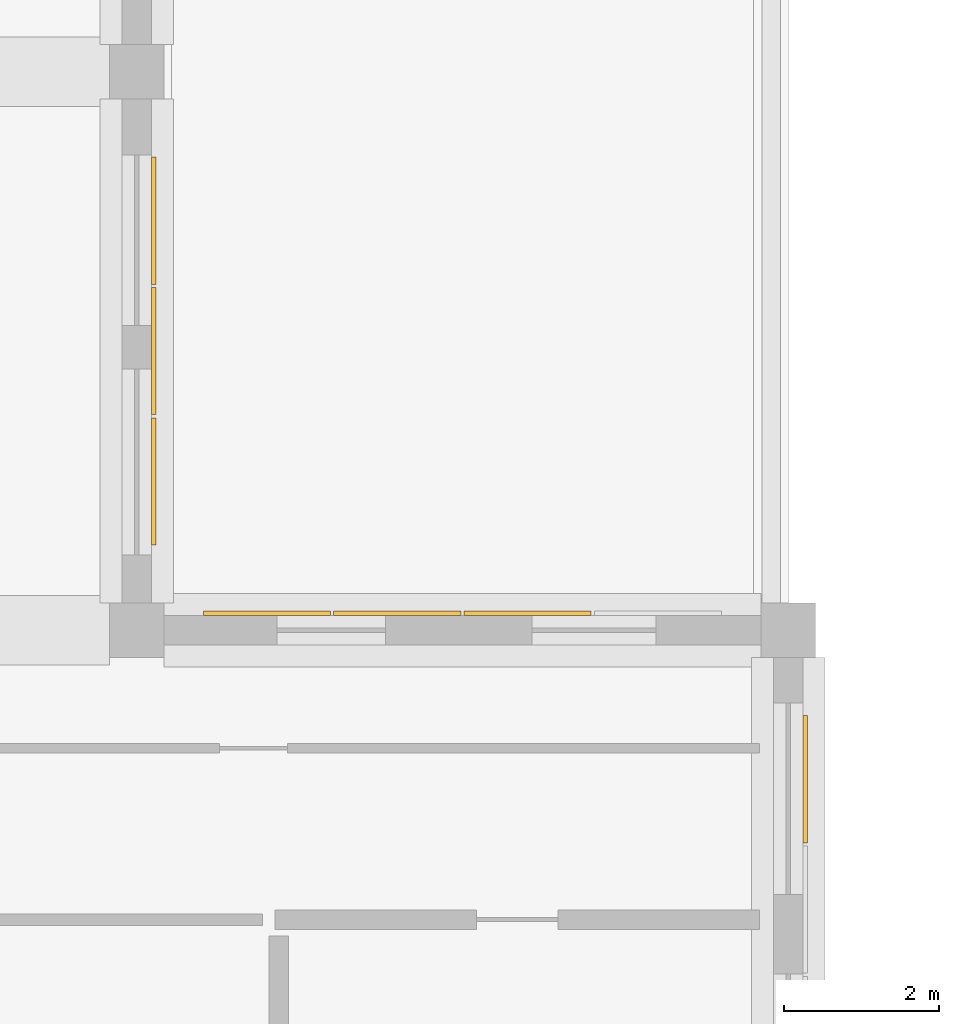
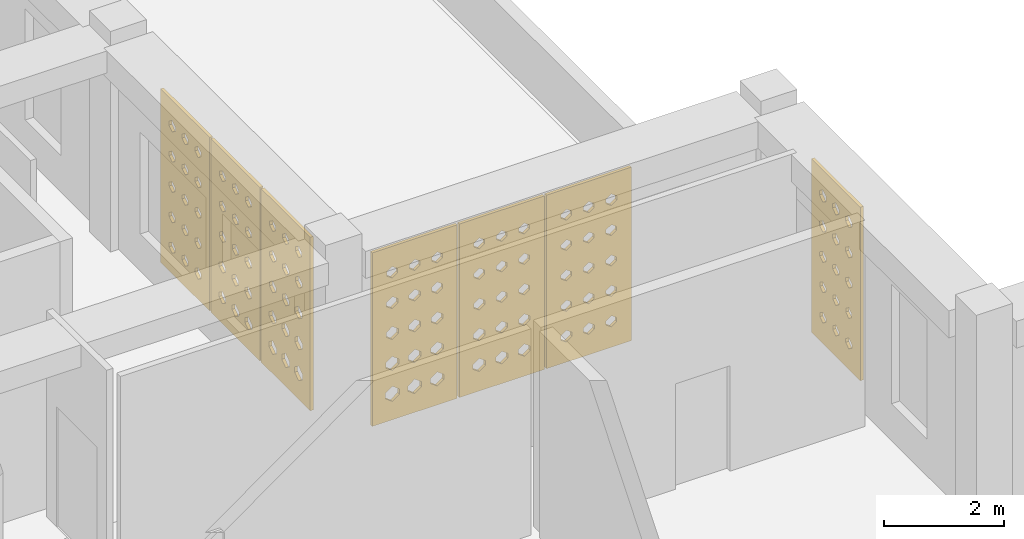
# One storey, part 44 of 47: 7 coverings.
"""IFC4 building model written with IfcOpenShell, lengths in metres."""

from ifc_helpers import new_model, si_unit, derived_unit, direction, frame, origin, place, context, subcontext, project, spatial, polyline, outline, extrude, material, layer, layer_set, type_object, element, save


model = new_model("IFC4")

# Units and contexts
model_context = context("Model", 3, precision=1e-05, world=origin(), true_north=direction((0.0, 1.0)))
body_context = subcontext(model_context, "Body", "Model", "MODEL_VIEW")
ifc_project = project(units=[si_unit("LENGTHUNIT", "METRE"), si_unit("AREAUNIT", "SQUARE_METRE"), si_unit("VOLUMEUNIT", "CUBIC_METRE"), si_unit("PLANEANGLEUNIT", "RADIAN"), si_unit("MASSUNIT", "GRAM", prefix="KILO"), derived_unit("THERMALTRANSMITTANCEUNIT", [(si_unit("POWERUNIT", "WATT"), 1), (si_unit("LENGTHUNIT", "METRE"), -2), (si_unit("THERMODYNAMICTEMPERATUREUNIT", "KELVIN"), -1)])], contexts=[model_context])

# Site, building, storey
site_placement = place(None, origin())
site = spatial("IfcSite", under=ifc_project, at=site_placement, CompositionType="ELEMENT")
building_placement = place(site_placement, origin())
building = spatial("IfcBuilding", under=site, at=building_placement, Name="Veybourne Emporium", CompositionType="ELEMENT")
storey_placement = place(building_placement, frame((0.0, 0.0, 23.39990234375)))
storey = spatial("IfcBuildingStorey", under=building, at=storey_placement, Name="L05", CompositionType="ELEMENT", Elevation=23.39990234375)

# Coverings
ifc_material = material(Name="Warm-White Perforated Aluminium Screen Alloy", Category="aluminium")
ifc_layer_1 = layer(ifc_material, 0.06005859375)
ifc_layer_set_1 = layer_set([ifc_layer_1], Name="Warm-White Perforated Aluminium Screen Alloy")
covering_type_1 = type_object("IfcCoveringType", Name="WaveScreen_SCR-01", PredefinedType="CLADDING", material=ifc_layer_set_1)
covering_1_placement = place(storey_placement, frame((84.248046875, 73.919921875, 1.830078125), z_axis=(-1.0, 0.0, 0.0), x_axis=(0.0, -1.0, 0.0)))
element("IfcCovering", 1, at=covering_1_placement, inside=storey, type_object=covering_type_1, Name="L05 wave-perforated aluminium screen SCR-01 (44.3)", PredefinedType="CLADDING", context=body_context, shape_type="SweptSolid", body=[
    extrude(outline(polyline([(-0.81982421875, -1.77001953125), (0.81982421875, -1.77001953125), (0.81982421875, 1.77001953125), (-0.81982421875, 1.77001953125), (-0.81982421875, -1.77001953125)]), holes=[polyline([(-0.433349609375, -1.100830078125), (-0.309326171875, -1.18994140625), (-0.309326171875, -1.2900390625), (-0.433349609375, -1.379150390625), (-0.55712890625, -1.2900390625), (-0.55712890625, -1.18994140625), (-0.433349609375, -1.100830078125)]), polyline([(-0.433349609375, -0.490966796875), (-0.317626953125, -0.573486328125), (-0.317626953125, -0.66650390625), (-0.433349609375, -0.7490234375), (-0.549072265625, -0.66650390625), (-0.549072265625, -0.573486328125), (-0.433349609375, -0.490966796875)]), polyline([(-0.433349609375, 0.120849609375), (-0.324462890625, 0.04345703125), (-0.324462890625, -0.04345703125), (-0.433349609375, -0.120849609375), (-0.542236328125, -0.04345703125), (-0.542236328125, 0.04345703125), (-0.433349609375, 0.120849609375)]), polyline([(-0.433349609375, 0.73486328125), (-0.329345703125, 0.661376953125), (-0.329345703125, 0.57861328125), (-0.433349609375, 0.505126953125), (-0.537353515625, 0.57861328125), (-0.537353515625, 0.661376953125), (-0.433349609375, 0.73486328125)]), polyline([(-0.433349609375, 1.351318359375), (-0.332275390625, 1.280029296875), (-0.332275390625, 1.199951171875), (-0.433349609375, 1.12890625), (-0.534423828125, 1.199951171875), (-0.534423828125, 1.280029296875), (-0.433349609375, 1.351318359375)]), polyline([(0.0, -1.095703125), (0.1279296875, -1.18798828125), (0.1279296875, -1.2919921875), (0.0, -1.38427734375), (-0.1279296875, -1.2919921875), (-0.1279296875, -1.18798828125), (0.0, -1.095703125)]), polyline([(0.0, -0.486572265625), (0.119140625, -0.572021484375), (0.119140625, -0.66796875), (0.0, -0.75341796875), (-0.119140625, -0.66796875), (-0.119140625, -0.572021484375), (0.0, -0.486572265625)]), polyline([(0.0, 0.12451171875), (0.11181640625, 0.044921875), (0.11181640625, -0.044921875), (0.0, -0.12451171875), (-0.11181640625, -0.044921875), (-0.11181640625, 0.044921875), (0.0, 0.12451171875)]), polyline([(0.0, 0.7373046875), (0.10595703125, 0.662109375), (0.10595703125, 0.577880859375), (0.0, 0.502685546875), (-0.10595703125, 0.577880859375), (-0.10595703125, 0.662109375), (0.0, 0.7373046875)]), polyline([(0.0, 1.3525390625), (0.10205078125, 1.280517578125), (0.10205078125, 1.199462890625), (0.0, 1.12744140625), (-0.10205078125, 1.199462890625), (-0.10205078125, 1.280517578125), (0.0, 1.3525390625)]), polyline([(0.433349609375, -1.09033203125), (0.56591796875, -1.18603515625), (0.56591796875, -1.2939453125), (0.433349609375, -1.3896484375), (0.30078125, -1.2939453125), (0.30078125, -1.18603515625), (0.433349609375, -1.09033203125)]), polyline([(0.433349609375, -0.48193359375), (0.556396484375, -0.5703125), (0.556396484375, -0.669677734375), (0.433349609375, -0.758056640625), (0.310302734375, -0.669677734375), (0.310302734375, -0.5703125), (0.433349609375, -0.48193359375)]), polyline([(0.433349609375, 0.128173828125), (0.548095703125, 0.046142578125), (0.548095703125, -0.046142578125), (0.433349609375, -0.128173828125), (0.318359375, -0.046142578125), (0.318359375, 0.046142578125), (0.433349609375, 0.128173828125)]), polyline([(0.433349609375, 0.740234375), (0.541748046875, 0.663330078125), (0.541748046875, 0.57666015625), (0.433349609375, 0.499755859375), (0.324951171875, 0.57666015625), (0.324951171875, 0.663330078125), (0.433349609375, 0.740234375)]), polyline([(0.433349609375, 1.3544921875), (0.537109375, 1.28125), (0.537109375, 1.19873046875), (0.433349609375, 1.12548828125), (0.32958984375, 1.19873046875), (0.32958984375, 1.28125), (0.433349609375, 1.3544921875)])]), origin(), (0.0, 0.0, 1.0), 0.06005859375),
])
covering_2_placement = place(storey_placement, frame((85.679931640625, 72.248046875, 1.830078125), z_axis=(0.0, -1.0, 0.0), x_axis=(1.0, 0.0, 0.0)))
element("IfcCovering", 2, at=covering_2_placement, inside=storey, type_object=covering_type_1, Name="L05 wave-perforated aluminium screen SCR-01 (50.1)", PredefinedType="CLADDING", context=body_context, shape_type="SweptSolid", body=[
    extrude(outline(polyline([(-0.81982421875, -1.77001953125), (0.81982421875, -1.77001953125), (0.81982421875, 1.77001953125), (-0.81982421875, 1.77001953125), (-0.81982421875, -1.77001953125)]), holes=[polyline([(-0.433349609375, -1.08740234375), (-0.29833984375, -1.18505859375), (-0.29833984375, -1.294921875), (-0.433349609375, -1.392578125), (-0.568359375, -1.294921875), (-0.568359375, -1.18505859375), (-0.433349609375, -1.08740234375)]), polyline([(-0.433349609375, -0.479248046875), (-0.30810546875, -0.5693359375), (-0.30810546875, -0.670654296875), (-0.433349609375, -0.7607421875), (-0.55859375, -0.670654296875), (-0.55859375, -0.5693359375), (-0.433349609375, -0.479248046875)]), polyline([(-0.433349609375, 0.130615234375), (-0.316650390625, 0.047119140625), (-0.316650390625, -0.047119140625), (-0.433349609375, -0.130615234375), (-0.550048828125, -0.047119140625), (-0.550048828125, 0.047119140625), (-0.433349609375, 0.130615234375)]), polyline([(-0.433349609375, 0.741943359375), (-0.323486328125, 0.663818359375), (-0.323486328125, 0.576171875), (-0.433349609375, 0.498046875), (-0.543212890625, 0.576171875), (-0.543212890625, 0.663818359375), (-0.433349609375, 0.741943359375)]), polyline([(-0.433349609375, 1.355712890625), (-0.32861328125, 1.281494140625), (-0.32861328125, 1.198486328125), (-0.433349609375, 1.124267578125), (-0.5380859375, 1.198486328125), (-0.5380859375, 1.281494140625), (-0.433349609375, 1.355712890625)]), polyline([(0.0, -1.0927734375), (0.13037109375, -1.18701171875), (0.13037109375, -1.29296875), (0.0, -1.38720703125), (-0.13037109375, -1.29296875), (-0.13037109375, -1.18701171875), (0.0, -1.0927734375)]), polyline([(0.0, -0.48388671875), (0.12109375, -0.571044921875), (0.12109375, -0.6689453125), (0.0, -0.756103515625), (-0.12109375, -0.6689453125), (-0.12109375, -0.571044921875), (0.0, -0.48388671875)]), polyline([(0.0, 0.12646484375), (0.113525390625, 0.04541015625), (0.113525390625, -0.04541015625), (0.0, -0.12646484375), (-0.113525390625, -0.04541015625), (-0.113525390625, 0.04541015625), (0.0, 0.12646484375)]), polyline([(0.0, 0.739013671875), (0.107421875, 0.662841796875), (0.107421875, 0.5771484375), (0.0, 0.501220703125), (-0.107421875, 0.5771484375), (-0.107421875, 0.662841796875), (0.0, 0.739013671875)]), polyline([(0.0, 1.353515625), (0.102783203125, 1.281005859375), (0.102783203125, 1.19921875), (0.0, 1.12646484375), (-0.102783203125, 1.19921875), (-0.102783203125, 1.281005859375), (0.0, 1.353515625)]), polyline([(0.433349609375, -1.097900390625), (0.5595703125, -1.18896484375), (0.5595703125, -1.291015625), (0.433349609375, -1.382080078125), (0.30712890625, -1.291015625), (0.30712890625, -1.18896484375), (0.433349609375, -1.097900390625)]), polyline([(0.433349609375, -0.488525390625), (0.55078125, -0.57275390625), (0.55078125, -0.667236328125), (0.433349609375, -0.75146484375), (0.31591796875, -0.667236328125), (0.31591796875, -0.57275390625), (0.433349609375, -0.488525390625)]), polyline([(0.433349609375, 0.122802734375), (0.543701171875, 0.044189453125), (0.543701171875, -0.044189453125), (0.433349609375, -0.122802734375), (0.322998046875, -0.044189453125), (0.322998046875, 0.044189453125), (0.433349609375, 0.122802734375)]), polyline([(0.433349609375, 0.736083984375), (0.538330078125, 0.661865234375), (0.538330078125, 0.578125), (0.433349609375, 0.50390625), (0.328125, 0.578125), (0.328125, 0.661865234375), (0.433349609375, 0.736083984375)]), polyline([(0.433349609375, 1.351806640625), (0.534912109375, 1.2802734375), (0.534912109375, 1.19970703125), (0.433349609375, 1.128173828125), (0.331787109375, 1.19970703125), (0.331787109375, 1.2802734375), (0.433349609375, 1.351806640625)])]), origin(), (0.0, 0.0, 1.0), 0.06005859375),
])
ifc_layer_2 = layer(ifc_material, 0.06005859375)
ifc_layer_set_2 = layer_set([ifc_layer_2], Name="Warm-White Perforated Aluminium Screen Alloy")
covering_type_2 = type_object("IfcCoveringType", Name="WaveScreen_SCR-02", PredefinedType="CLADDING", material=ifc_layer_set_2)
covering_3_placement = place(storey_placement, frame((87.360107421875, 72.248046875, 1.830078125), z_axis=(0.0, -1.0, 0.0), x_axis=(1.0, 0.0, 0.0)))
element("IfcCovering", 3, at=covering_3_placement, inside=storey, type_object=covering_type_2, Name="L05 wave-perforated aluminium screen SCR-02 (50.2)", PredefinedType="CLADDING", context=body_context, shape_type="SweptSolid", body=[
    extrude(outline(polyline([(-0.81982421875, -1.77001953125), (0.81982421875, -1.77001953125), (0.81982421875, 1.77001953125), (-0.81982421875, 1.77001953125), (-0.81982421875, -1.77001953125)]), holes=[polyline([(-0.433349609375, -1.10693359375), (-0.314453125, -1.192138671875), (-0.314453125, -1.287841796875), (-0.433349609375, -1.373046875), (-0.552001953125, -1.287841796875), (-0.552001953125, -1.192138671875), (-0.433349609375, -1.10693359375)]), polyline([(-0.433349609375, -0.49609375), (-0.322021484375, -0.575439453125), (-0.322021484375, -0.66455078125), (-0.433349609375, -0.743896484375), (-0.544921875, -0.66455078125), (-0.544921875, -0.575439453125), (-0.433349609375, -0.49609375)]), polyline([(-0.433349609375, 0.1171875), (-0.327392578125, 0.042236328125), (-0.327392578125, -0.042236328125), (-0.433349609375, -0.1171875), (-0.5390625, -0.042236328125), (-0.5390625, 0.042236328125), (-0.433349609375, 0.1171875)]), polyline([(-0.433349609375, 0.732421875), (-0.331298828125, 0.660400390625), (-0.331298828125, 0.57958984375), (-0.433349609375, 0.507568359375), (-0.535400390625, 0.57958984375), (-0.535400390625, 0.660400390625), (-0.433349609375, 0.732421875)]), polyline([(-0.433349609375, 1.35009765625), (-0.333251953125, 1.27978515625), (-0.333251953125, 1.2001953125), (-0.433349609375, 1.1298828125), (-0.533447265625, 1.2001953125), (-0.533447265625, 1.27978515625), (-0.433349609375, 1.35009765625)]), polyline([(0.0, -1.111328125), (0.115234375, -1.193603515625), (0.115234375, -1.286376953125), (0.0, -1.36865234375), (-0.115234375, -1.286376953125), (-0.115234375, -1.193603515625), (0.0, -1.111328125)]), polyline([(0.0, -0.49951171875), (0.108642578125, -0.57666015625), (0.108642578125, -0.663330078125), (0.0, -0.740478515625), (-0.108642578125, -0.663330078125), (-0.108642578125, -0.57666015625), (0.0, -0.49951171875)]), polyline([(0.0, 0.11474609375), (0.10400390625, 0.041259765625), (0.10400390625, -0.041259765625), (0.0, -0.11474609375), (-0.10400390625, -0.041259765625), (-0.10400390625, 0.041259765625), (0.0, 0.11474609375)]), polyline([(0.0, 0.731201171875), (0.100830078125, 0.659912109375), (0.100830078125, 0.580078125), (0.0, 0.5087890625), (-0.100830078125, 0.580078125), (-0.100830078125, 0.659912109375), (0.0, 0.731201171875)]), polyline([(0.0, 1.35009765625), (0.10009765625, 1.279541015625), (0.10009765625, 1.200439453125), (0.0, 1.1298828125), (-0.10009765625, 1.200439453125), (-0.10009765625, 1.279541015625), (0.0, 1.35009765625)]), polyline([(0.433349609375, -1.115234375), (0.54541015625, -1.195068359375), (0.54541015625, -1.284912109375), (0.433349609375, -1.36474609375), (0.3212890625, -1.284912109375), (0.3212890625, -1.195068359375), (0.433349609375, -1.115234375)]), polyline([(0.433349609375, -0.502197265625), (0.53955078125, -0.57763671875), (0.53955078125, -0.662353515625), (0.433349609375, -0.73779296875), (0.326904296875, -0.662353515625), (0.326904296875, -0.57763671875), (0.433349609375, -0.502197265625)]), polyline([(0.433349609375, 0.11279296875), (0.53564453125, 0.04052734375), (0.53564453125, -0.04052734375), (0.433349609375, -0.11279296875), (0.3310546875, -0.04052734375), (0.3310546875, 0.04052734375), (0.433349609375, 0.11279296875)]), polyline([(0.433349609375, 0.730224609375), (0.53369140625, 0.65966796875), (0.53369140625, 0.580322265625), (0.433349609375, 0.509765625), (0.3330078125, 0.580322265625), (0.3330078125, 0.65966796875), (0.433349609375, 0.730224609375)]), polyline([(0.433349609375, 1.350341796875), (0.53369140625, 1.27978515625), (0.53369140625, 1.2001953125), (0.433349609375, 1.129638671875), (0.3330078125, 1.2001953125), (0.3330078125, 1.27978515625), (0.433349609375, 1.350341796875)])]), origin(), (0.0, 0.0, 1.0), 0.06005859375),
])
ifc_layer_3 = layer(ifc_material, 0.06005859375)
ifc_layer_set_3 = layer_set([ifc_layer_3], Name="Warm-White Perforated Aluminium Screen Alloy")
covering_type_3 = type_object("IfcCoveringType", Name="WaveScreen_SCR-03", PredefinedType="CLADDING", material=ifc_layer_set_3)
covering_4_placement = place(storey_placement, frame((84.248046875, 77.280029296875, 1.830078125), z_axis=(-1.0, 0.0, 0.0), x_axis=(0.0, -1.0, 0.0)))
element("IfcCovering", 4, at=covering_4_placement, inside=storey, type_object=covering_type_3, Name="L05 wave-perforated aluminium screen SCR-03 (44.1)", PredefinedType="CLADDING", context=body_context, shape_type="SweptSolid", body=[
    extrude(outline(polyline([(-0.81982421875, -1.77001953125), (0.81982421875, -1.77001953125), (0.81982421875, 1.77001953125), (-0.81982421875, 1.77001953125), (-0.81982421875, -1.77001953125)]), holes=[polyline([(-0.433349609375, -1.127197265625), (-0.3310546875, -1.199462890625), (-0.3310546875, -1.280517578125), (-0.433349609375, -1.352783203125), (-0.53564453125, -1.280517578125), (-0.53564453125, -1.199462890625), (-0.433349609375, -1.127197265625)]), polyline([(-0.433349609375, -0.509765625), (-0.3330078125, -0.580322265625), (-0.3330078125, -0.65966796875), (-0.433349609375, -0.730224609375), (-0.53369140625, -0.65966796875), (-0.53369140625, -0.580322265625), (-0.433349609375, -0.509765625)]), polyline([(-0.433349609375, 0.1103515625), (-0.3330078125, 0.039794921875), (-0.3330078125, -0.039794921875), (-0.433349609375, -0.1103515625), (-0.53369140625, -0.039794921875), (-0.53369140625, 0.039794921875), (-0.433349609375, 0.1103515625)]), polyline([(-0.433349609375, 0.732666015625), (-0.3310546875, 0.66064453125), (-0.3310546875, 0.579345703125), (-0.433349609375, 0.50732421875), (-0.53564453125, 0.579345703125), (-0.53564453125, 0.66064453125), (-0.433349609375, 0.732666015625)]), polyline([(-0.433349609375, 1.357421875), (-0.3271484375, 1.2822265625), (-0.3271484375, 1.19775390625), (-0.433349609375, 1.12255859375), (-0.53955078125, 1.19775390625), (-0.53955078125, 1.2822265625), (-0.433349609375, 1.357421875)]), polyline([(0.0, -1.125244140625), (0.10400390625, -1.19873046875), (0.10400390625, -1.28125), (0.0, -1.354736328125), (-0.10400390625, -1.28125), (-0.10400390625, -1.19873046875), (0.0, -1.125244140625)]), polyline([(0.0, -0.5087890625), (0.100830078125, -0.580078125), (0.100830078125, -0.659912109375), (0.0, -0.731201171875), (-0.100830078125, -0.659912109375), (-0.100830078125, -0.580078125), (0.0, -0.5087890625)]), polyline([(0.0, 0.110107421875), (0.10009765625, 0.03955078125), (0.10009765625, -0.03955078125), (0.0, -0.110107421875), (-0.10009765625, -0.03955078125), (-0.10009765625, 0.03955078125), (0.0, 0.110107421875)]), polyline([(0.0, 0.731201171875), (0.10107421875, 0.66015625), (0.10107421875, 0.579833984375), (0.0, 0.5087890625), (-0.10107421875, 0.579833984375), (-0.10107421875, 0.66015625), (0.0, 0.731201171875)]), polyline([(0.0, 1.35498046875), (0.104248046875, 1.281494140625), (0.104248046875, 1.198486328125), (0.0, 1.125), (-0.104248046875, 1.198486328125), (-0.104248046875, 1.281494140625), (0.0, 1.35498046875)]), polyline([(0.433349609375, -1.122802734375), (0.539306640625, -1.19775390625), (0.539306640625, -1.2822265625), (0.433349609375, -1.357177734375), (0.327392578125, -1.2822265625), (0.327392578125, -1.19775390625), (0.433349609375, -1.122802734375)]), polyline([(0.433349609375, -0.507568359375), (0.535400390625, -0.57958984375), (0.535400390625, -0.660400390625), (0.433349609375, -0.732421875), (0.331298828125, -0.660400390625), (0.331298828125, -0.57958984375), (0.433349609375, -0.507568359375)]), polyline([(0.433349609375, 0.110107421875), (0.533447265625, 0.039794921875), (0.533447265625, -0.039794921875), (0.433349609375, -0.110107421875), (0.333251953125, -0.039794921875), (0.333251953125, 0.039794921875), (0.433349609375, 0.110107421875)]), polyline([(0.433349609375, 0.73046875), (0.53369140625, 0.659912109375), (0.53369140625, 0.580078125), (0.433349609375, 0.509521484375), (0.3330078125, 0.580078125), (0.3330078125, 0.659912109375), (0.433349609375, 0.73046875)]), polyline([(0.433349609375, 1.35302734375), (0.535888671875, 1.28076171875), (0.535888671875, 1.19921875), (0.433349609375, 1.126953125), (0.330810546875, 1.19921875), (0.330810546875, 1.28076171875), (0.433349609375, 1.35302734375)])]), origin(), (0.0, 0.0, 1.0), 0.06005859375),
])
covering_5_placement = place(storey_placement, frame((89.0400390625, 72.248046875, 1.830078125), z_axis=(0.0, -1.0, 0.0), x_axis=(1.0, 0.0, 0.0)))
element("IfcCovering", 5, at=covering_5_placement, inside=storey, type_object=covering_type_3, Name="L05 wave-perforated aluminium screen SCR-03 (50.3)", PredefinedType="CLADDING", context=body_context, shape_type="SweptSolid", body=[
    extrude(outline(polyline([(-0.81982421875, -1.77001953125), (0.81982421875, -1.77001953125), (0.81982421875, 1.77001953125), (-0.81982421875, 1.77001953125), (-0.81982421875, -1.77001953125)]), holes=[polyline([(-0.433349609375, -1.121337890625), (-0.326171875, -1.197265625), (-0.326171875, -1.28271484375), (-0.433349609375, -1.358642578125), (-0.540283203125, -1.28271484375), (-0.540283203125, -1.197265625), (-0.433349609375, -1.121337890625)]), polyline([(-0.433349609375, -0.506591796875), (-0.33056640625, -0.5791015625), (-0.33056640625, -0.660888671875), (-0.433349609375, -0.7333984375), (-0.5361328125, -0.660888671875), (-0.5361328125, -0.5791015625), (-0.433349609375, -0.506591796875)]), polyline([(-0.433349609375, 0.110595703125), (-0.3330078125, 0.039794921875), (-0.3330078125, -0.039794921875), (-0.433349609375, -0.110595703125), (-0.53369140625, -0.039794921875), (-0.53369140625, 0.039794921875), (-0.433349609375, 0.110595703125)]), polyline([(-0.433349609375, 0.72998046875), (-0.333251953125, 0.65966796875), (-0.333251953125, 0.580322265625), (-0.433349609375, 0.510009765625), (-0.533447265625, 0.580322265625), (-0.533447265625, 0.65966796875), (-0.433349609375, 0.72998046875)]), polyline([(-0.433349609375, 1.352294921875), (-0.33154296875, 1.280517578125), (-0.33154296875, 1.19970703125), (-0.433349609375, 1.127685546875), (-0.53515625, 1.19970703125), (-0.53515625, 1.280517578125), (-0.433349609375, 1.352294921875)]), polyline([(0.0, -1.1240234375), (0.10498046875, -1.1982421875), (0.10498046875, -1.28173828125), (0.0, -1.35595703125), (-0.10498046875, -1.28173828125), (-0.10498046875, -1.1982421875), (0.0, -1.1240234375)]), polyline([(0.0, -0.50830078125), (0.1015625, -0.57958984375), (0.1015625, -0.660400390625), (0.0, -0.731689453125), (-0.1015625, -0.660400390625), (-0.1015625, -0.57958984375), (0.0, -0.50830078125)]), polyline([(0.0, 0.110107421875), (0.10009765625, 0.03955078125), (0.10009765625, -0.03955078125), (0.0, -0.110107421875), (-0.10009765625, -0.03955078125), (-0.10009765625, 0.03955078125), (0.0, 0.110107421875)]), polyline([(0.0, 0.730712890625), (0.1005859375, 0.659912109375), (0.1005859375, 0.580078125), (0.0, 0.50927734375), (-0.1005859375, 0.580078125), (-0.1005859375, 0.659912109375), (0.0, 0.730712890625)]), polyline([(0.0, 1.35400390625), (0.103271484375, 1.281005859375), (0.103271484375, 1.198974609375), (0.0, 1.126220703125), (-0.103271484375, 1.198974609375), (-0.103271484375, 1.281005859375), (0.0, 1.35400390625)]), polyline([(0.433349609375, -1.126220703125), (0.53662109375, -1.198974609375), (0.53662109375, -1.281005859375), (0.433349609375, -1.353759765625), (0.330078125, -1.281005859375), (0.330078125, -1.198974609375), (0.433349609375, -1.126220703125)]), polyline([(0.433349609375, -0.50927734375), (0.533935546875, -0.580078125), (0.533935546875, -0.659912109375), (0.433349609375, -0.730712890625), (0.332763671875, -0.659912109375), (0.332763671875, -0.580078125), (0.433349609375, -0.50927734375)]), polyline([(0.433349609375, 0.110107421875), (0.533447265625, 0.03955078125), (0.533447265625, -0.03955078125), (0.433349609375, -0.110107421875), (0.333251953125, -0.03955078125), (0.333251953125, 0.03955078125), (0.433349609375, 0.110107421875)]), polyline([(0.433349609375, 0.73193359375), (0.534912109375, 0.660400390625), (0.534912109375, 0.57958984375), (0.433349609375, 0.508056640625), (0.331787109375, 0.57958984375), (0.331787109375, 0.660400390625), (0.433349609375, 0.73193359375)]), polyline([(0.433349609375, 1.356201171875), (0.538330078125, 1.28173828125), (0.538330078125, 1.1982421875), (0.433349609375, 1.123779296875), (0.328369140625, 1.1982421875), (0.328369140625, 1.28173828125), (0.433349609375, 1.356201171875)])]), origin(), (0.0, 0.0, 1.0), 0.06005859375),
])
ifc_layer_4 = layer(ifc_material, 0.06005859375)
ifc_layer_set_4 = layer_set([ifc_layer_4], Name="Warm-White Perforated Aluminium Screen Alloy")
covering_type_4 = type_object("IfcCoveringType", Name="WaveScreen_SCR-04", PredefinedType="CLADDING", material=ifc_layer_set_4)
covering_6_placement = place(storey_placement, frame((84.248046875, 75.60009765625, 1.830078125), z_axis=(-1.0, 0.0, 0.0), x_axis=(0.0, -1.0, 0.0)))
element("IfcCovering", 6, at=covering_6_placement, inside=storey, type_object=covering_type_4, Name="L05 wave-perforated aluminium screen SCR-04 (44.2)", PredefinedType="CLADDING", context=body_context, shape_type="SweptSolid", body=[
    extrude(outline(polyline([(-0.81982421875, -1.77001953125), (0.81982421875, -1.77001953125), (0.81982421875, 1.77001953125), (-0.81982421875, 1.77001953125), (-0.81982421875, -1.77001953125)]), holes=[polyline([(-0.433349609375, -1.1171875), (-0.32275390625, -1.19580078125), (-0.32275390625, -1.2841796875), (-0.433349609375, -1.36279296875), (-0.5439453125, -1.2841796875), (-0.5439453125, -1.19580078125), (-0.433349609375, -1.1171875)]), polyline([(-0.433349609375, -0.503662109375), (-0.328125, -0.578125), (-0.328125, -0.661865234375), (-0.433349609375, -0.736328125), (-0.53857421875, -0.661865234375), (-0.53857421875, -0.578125), (-0.433349609375, -0.503662109375)]), polyline([(-0.433349609375, 0.112060546875), (-0.331787109375, 0.040283203125), (-0.331787109375, -0.040283203125), (-0.433349609375, -0.112060546875), (-0.534912109375, -0.040283203125), (-0.534912109375, 0.040283203125), (-0.433349609375, 0.112060546875)]), polyline([(-0.433349609375, 0.72998046875), (-0.333251953125, 0.65966796875), (-0.333251953125, 0.580322265625), (-0.433349609375, 0.510009765625), (-0.533447265625, 0.580322265625), (-0.533447265625, 0.65966796875), (-0.433349609375, 0.72998046875)]), polyline([(-0.433349609375, 1.3505859375), (-0.332763671875, 1.27978515625), (-0.332763671875, 1.2001953125), (-0.433349609375, 1.12939453125), (-0.533935546875, 1.2001953125), (-0.533935546875, 1.27978515625), (-0.433349609375, 1.3505859375)]), polyline([(0.0, -1.113525390625), (0.113525390625, -1.194580078125), (0.113525390625, -1.285400390625), (0.0, -1.366455078125), (-0.113525390625, -1.285400390625), (-0.113525390625, -1.194580078125), (0.0, -1.113525390625)]), polyline([(0.0, -0.5009765625), (0.107421875, -0.5771484375), (0.107421875, -0.662841796875), (0.0, -0.739013671875), (-0.107421875, -0.662841796875), (-0.107421875, -0.5771484375), (0.0, -0.5009765625)]), polyline([(0.0, 0.113525390625), (0.102783203125, 0.041015625), (0.102783203125, -0.041015625), (0.0, -0.113525390625), (-0.102783203125, -0.041015625), (-0.102783203125, 0.041015625), (0.0, 0.113525390625)]), polyline([(0.0, 0.730712890625), (0.1005859375, 0.659912109375), (0.1005859375, 0.580078125), (0.0, 0.509521484375), (-0.1005859375, 0.580078125), (-0.1005859375, 0.659912109375), (0.0, 0.730712890625)]), polyline([(0.0, 1.35009765625), (0.10009765625, 1.279541015625), (0.10009765625, 1.200439453125), (0.0, 1.1298828125), (-0.10009765625, 1.200439453125), (-0.10009765625, 1.279541015625), (0.0, 1.35009765625)]), polyline([(0.433349609375, -1.109375), (0.55029296875, -1.193115234375), (0.55029296875, -1.287109375), (0.433349609375, -1.37060546875), (0.31640625, -1.287109375), (0.31640625, -1.193115234375), (0.433349609375, -1.109375)]), polyline([(0.433349609375, -0.497802734375), (0.543212890625, -0.575927734375), (0.543212890625, -0.6640625), (0.433349609375, -0.7421875), (0.323486328125, -0.6640625), (0.323486328125, -0.575927734375), (0.433349609375, -0.497802734375)]), polyline([(0.433349609375, 0.11572265625), (0.5380859375, 0.041748046875), (0.5380859375, -0.041748046875), (0.433349609375, -0.11572265625), (0.32861328125, -0.041748046875), (0.32861328125, 0.041748046875), (0.433349609375, 0.11572265625)]), polyline([(0.433349609375, 0.731689453125), (0.53466796875, 0.66015625), (0.53466796875, 0.579833984375), (0.433349609375, 0.50830078125), (0.33203125, 0.579833984375), (0.33203125, 0.66015625), (0.433349609375, 0.731689453125)]), polyline([(0.433349609375, 1.35009765625), (0.533447265625, 1.279541015625), (0.533447265625, 1.200439453125), (0.433349609375, 1.1298828125), (0.333251953125, 1.200439453125), (0.333251953125, 1.279541015625), (0.433349609375, 1.35009765625)])]), origin(), (0.0, 0.0, 1.0), 0.06005859375),
])
covering_7_placement = place(storey_placement, frame((92.64794921875, 70.080078125, 1.830078125), z_axis=(-1.0, 0.0, 0.0), x_axis=(0.0, -1.0, 0.0)))
element("IfcCovering", 7, at=covering_7_placement, inside=storey, type_object=covering_type_4, Name="L05 wave-perforated aluminium screen SCR-04 (49.1)", PredefinedType="CLADDING", context=body_context, shape_type="SweptSolid", body=[
    extrude(outline(polyline([(-0.81982421875, -1.77001953125), (0.81982421875, -1.77001953125), (0.81982421875, 1.77001953125), (-0.81982421875, 1.77001953125), (-0.81982421875, -1.77001953125)]), holes=[polyline([(-0.433349609375, -1.1298828125), (-0.333251953125, -1.200439453125), (-0.333251953125, -1.279541015625), (-0.433349609375, -1.35009765625), (-0.533447265625, -1.279541015625), (-0.533447265625, -1.200439453125), (-0.433349609375, -1.1298828125)]), polyline([(-0.433349609375, -0.50927734375), (-0.332763671875, -0.580078125), (-0.332763671875, -0.659912109375), (-0.433349609375, -0.730712890625), (-0.533935546875, -0.659912109375), (-0.533935546875, -0.580078125), (-0.433349609375, -0.50927734375)]), polyline([(-0.433349609375, 0.11376953125), (-0.330322265625, 0.041015625), (-0.330322265625, -0.041015625), (-0.433349609375, -0.11376953125), (-0.536376953125, -0.041015625), (-0.536376953125, 0.041015625), (-0.433349609375, 0.11376953125)]), polyline([(-0.433349609375, 0.739013671875), (-0.325927734375, 0.662841796875), (-0.325927734375, 0.5771484375), (-0.433349609375, 0.5009765625), (-0.540771484375, 0.5771484375), (-0.540771484375, 0.662841796875), (-0.433349609375, 0.739013671875)]), polyline([(-0.433349609375, 1.36669921875), (-0.319580078125, 1.28564453125), (-0.319580078125, 1.1943359375), (-0.433349609375, 1.11328125), (-0.547119140625, 1.1943359375), (-0.547119140625, 1.28564453125), (-0.433349609375, 1.36669921875)]), polyline([(0.0, -1.12939453125), (0.1005859375, -1.2001953125), (0.1005859375, -1.27978515625), (0.0, -1.3505859375), (-0.1005859375, -1.27978515625), (-0.1005859375, -1.2001953125), (0.0, -1.12939453125)]), polyline([(0.0, -0.510009765625), (0.10009765625, -0.580322265625), (0.10009765625, -0.65966796875), (0.0, -0.72998046875), (-0.10009765625, -0.65966796875), (-0.10009765625, -0.580322265625), (0.0, -0.510009765625)]), polyline([(0.0, 0.112060546875), (0.101806640625, 0.040283203125), (0.101806640625, -0.040283203125), (0.0, -0.112060546875), (-0.101806640625, -0.040283203125), (-0.101806640625, 0.040283203125), (0.0, 0.112060546875)]), polyline([(0.0, 0.736328125), (0.105224609375, 0.661865234375), (0.105224609375, 0.578125), (0.0, 0.503662109375), (-0.105224609375, 0.578125), (-0.105224609375, 0.661865234375), (0.0, 0.736328125)]), polyline([(0.0, 1.363037109375), (0.110595703125, 1.2841796875), (0.110595703125, 1.19580078125), (0.0, 1.116943359375), (-0.110595703125, 1.19580078125), (-0.110595703125, 1.2841796875), (0.0, 1.363037109375)]), polyline([(0.433349609375, -1.12841796875), (0.53466796875, -1.19970703125), (0.53466796875, -1.2802734375), (0.433349609375, -1.351806640625), (0.331787109375, -1.2802734375), (0.331787109375, -1.19970703125), (0.433349609375, -1.12841796875)]), polyline([(0.433349609375, -0.510009765625), (0.533447265625, -0.580322265625), (0.533447265625, -0.65966796875), (0.433349609375, -0.72998046875), (0.333251953125, -0.65966796875), (0.333251953125, -0.580322265625), (0.433349609375, -0.510009765625)]), polyline([(0.433349609375, 0.11083984375), (0.533935546875, 0.039794921875), (0.533935546875, -0.039794921875), (0.433349609375, -0.11083984375), (0.33251953125, -0.039794921875), (0.33251953125, 0.039794921875), (0.433349609375, 0.11083984375)]), polyline([(0.433349609375, 0.734130859375), (0.53662109375, 0.6611328125), (0.53662109375, 0.578857421875), (0.433349609375, 0.505859375), (0.330078125, 0.578857421875), (0.330078125, 0.6611328125), (0.433349609375, 0.734130859375)]), polyline([(0.433349609375, 1.359619140625), (0.541259765625, 1.283203125), (0.541259765625, 1.197021484375), (0.433349609375, 1.120361328125), (0.325439453125, 1.197021484375), (0.325439453125, 1.283203125), (0.433349609375, 1.359619140625)])]), origin(), (0.0, 0.0, 1.0), 0.06005859375),
])

save(model, "model.ifc")
